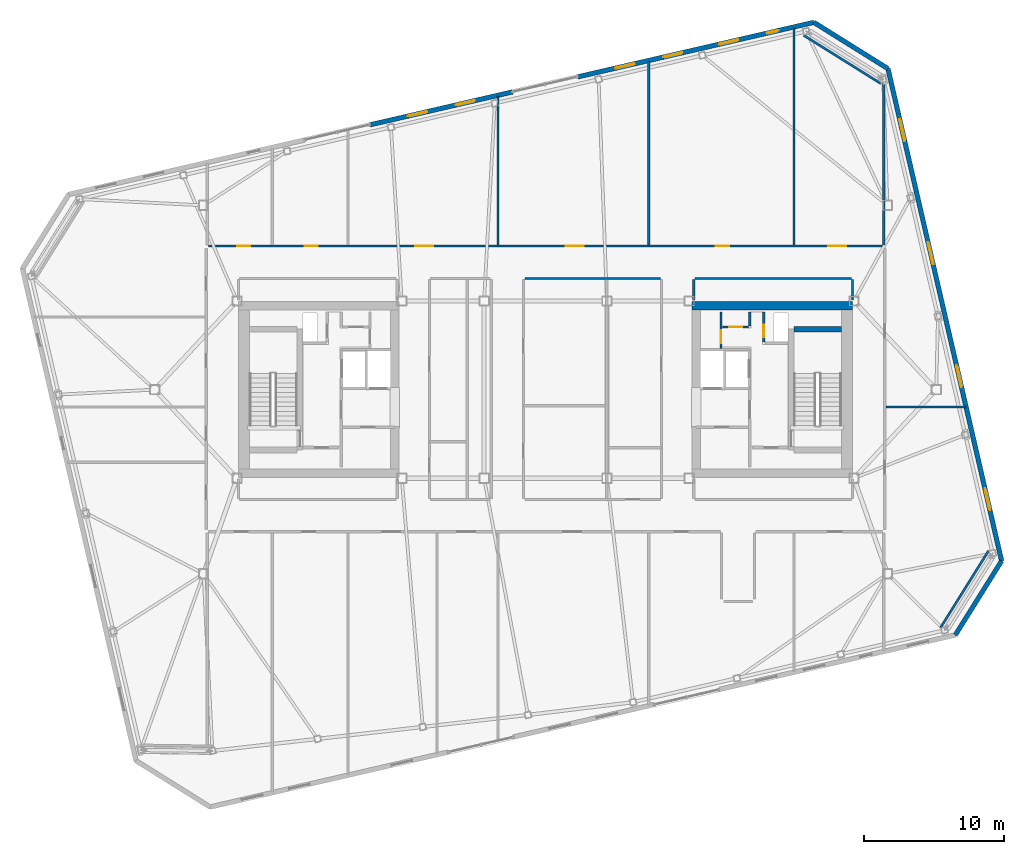
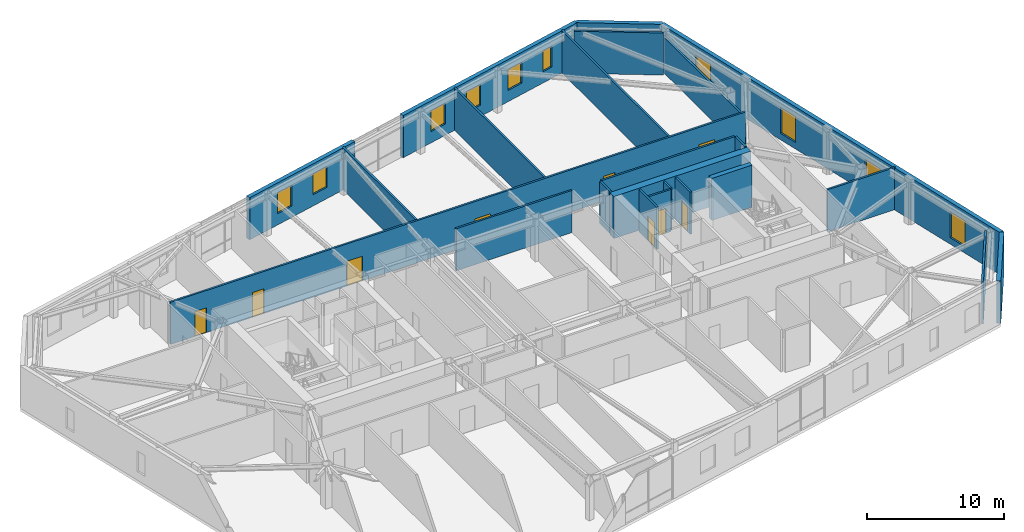
# One storey, part 19 of 23: 23 walls, 10 windows, 9 doors, 19 openings.
"""IFC4 building model written with IfcOpenShell, lengths in metres."""

from ifc_helpers import new_model, si_unit, direction, frame, frame_2d, origin, place, context, subcontext, project, spatial, rectangle, extrude, material, layer, layer_set, type_object, element, fill, save


model = new_model("IFC4")

# Units and contexts
model_context = context("Model", 3, precision=1e-05, world=origin(), true_north=direction((0.0, 1.0)))
body_context = subcontext(model_context, "Body", "Model", "MODEL_VIEW")
ifc_project = project(units=[si_unit("LENGTHUNIT", "METRE"), si_unit("AREAUNIT", "SQUARE_METRE"), si_unit("VOLUMEUNIT", "CUBIC_METRE"), si_unit("PLANEANGLEUNIT", "RADIAN"), si_unit("MASSUNIT", "GRAM", prefix="KILO")], contexts=[model_context])

# Site, building, storey
site_placement = place(None, origin())
site = spatial("IfcSite", under=ifc_project, at=site_placement, CompositionType="ELEMENT")
building_placement = place(site_placement, origin())
building = spatial("IfcBuilding", under=site, at=building_placement, Name="Tavrogorsk Clinical Tower", CompositionType="ELEMENT")
storey_placement = place(building_placement, frame((0.0, 0.0, 297.0)))
storey = spatial("IfcBuildingStorey", under=building, at=storey_placement, Name="L69", CompositionType="ELEMENT", Elevation=297.0)

# Wall, opening, door
ifc_material_1 = material(Name="Lightweight concrete blockwork B15", Category="masonry")
ifc_layer_1 = layer(ifc_material_1, 0.159912109375)
ifc_layer_set_1 = layer_set([ifc_layer_1], Name="Lightweight concrete blockwork B15")
wall_type_1 = type_object("IfcWallType", Name="PartitionWall_160", PredefinedType="PARTITIONING", material=ifc_layer_set_1)
wall_1_placement = place(storey_placement, frame((12.580078125, 2.9599609375, 0.0), z_axis=(0.0, 0.0, 1.0), x_axis=(0.0, 1.0, 0.0)))
wall_1 = element("IfcWall", 1, at=wall_1_placement, inside=storey, type_object=wall_type_1, Name="L69 Core East Linen Closet Wall", PredefinedType="PARTITIONING", context=body_context, shape_type="SweptSolid", body=[
    extrude(rectangle(XDim=2.60009765625, YDim=0.159912109375, at=frame_2d((1.300048828125, 0.0))), origin(), (0.0, 0.0, 1.0), 3.739990234375),
])
opening_1_placement = place(wall_1_placement, frame((0.35009765625, 0.0, 0.0)))
opening_1 = element("IfcOpeningElement", 2, at=opening_1_placement, cuts=wall_1, Name="Opening ID-02", PredefinedType="OPENING", context=body_context, shape_type="SweptSolid", body=[
    extrude(rectangle(XDim=0.949951171875, YDim=2.199951171875, at=frame_2d((0.47509765625, 1.10009765625))), frame((0.0, 0.08984375, 0.0), z_axis=(0.0, -1.0, 0.0), x_axis=(1.0, 0.0, 0.0)), (0.0, 0.0, 1.0), 0.179931640625),
])
ifc_material_2 = material(Name="Laminated timber leaf on aluminium frame", Category="wood")
door_type_1 = type_object("IfcDoorType", Name="InteriorDoor_ID02_950", OperationType="NOTDEFINED", PredefinedType="DOOR", material=ifc_material_2)
door_1_placement = place(opening_1_placement, origin())
door_1 = element("IfcDoor", 3, at=door_1_placement, inside=storey, type_object=door_type_1, Name="L69 Core East Linen Closet Door", OperationType="SINGLE_SWING_RIGHT", OverallHeight=2.199951171875, OverallWidth=0.949951171875, PredefinedType="DOOR", context=body_context, shape_type="SweptSolid", body=[
    extrude(rectangle(XDim=0.949951171875, YDim=2.199951171875, at=frame_2d((0.47509765625, 1.10009765625))), frame((0.0, 0.02490234375, 0.0), z_axis=(0.0, -1.0, 0.0), x_axis=(1.0, 0.0, 0.0)), (0.0, 0.0, 1.0), 0.050048828125),
])
fill(opening_1, door_1)

wall_2_placement = place(storey_placement, frame((12.6650390625, 4.47998046875, 0.0), z_axis=(0.0, 0.0, 1.0), x_axis=(1.0, 0.0, 0.0)))
wall_2 = element("IfcWall", 4, at=wall_2_placement, inside=storey, type_object=wall_type_1, Name="L69 Core East Housekeeping South Wall", PredefinedType="PARTITIONING", context=body_context, shape_type="SweptSolid", body=[
    extrude(rectangle(XDim=1.889892578125, YDim=0.159912109375, at=frame_2d((0.94482421875, 0.0))), origin(), (0.0, 0.0, 1.0), 3.739990234375),
])
opening_2_placement = place(wall_2_placement, frame((0.5, 0.0, 0.0)))
opening_2 = element("IfcOpeningElement", 5, at=opening_2_placement, cuts=wall_2, Name="Opening ID-02", PredefinedType="OPENING", context=body_context, shape_type="SweptSolid", body=[
    extrude(rectangle(XDim=0.949951171875, YDim=2.199951171875, at=frame_2d((0.47509765625, 1.10009765625))), frame((0.0, 0.08984375, 0.0), z_axis=(0.0, -1.0, 0.0), x_axis=(1.0, 0.0, 0.0)), (0.0, 0.0, 1.0), 0.179931640625),
])
door_2_placement = place(opening_2_placement, origin())
door_2 = element("IfcDoor", 6, at=door_2_placement, inside=storey, type_object=door_type_1, Name="L69 Core East Housekeeping Closet Door", OperationType="SINGLE_SWING_LEFT", OverallHeight=2.199951171875, OverallWidth=0.949951171875, PredefinedType="DOOR", context=body_context, shape_type="SweptSolid", body=[
    extrude(rectangle(XDim=0.949951171875, YDim=2.199951171875, at=frame_2d((0.47509765625, 1.10009765625))), frame((0.0, 0.02490234375, 0.0), z_axis=(0.0, -1.0, 0.0), x_axis=(1.0, 0.0, 0.0)), (0.0, 0.0, 1.0), 0.050048828125),
])
fill(opening_2, door_2)

# Walls
wall_3_placement = place(storey_placement, frame((14.639892578125, 4.56494140625, 0.0), z_axis=(0.0, 0.0, 1.0), x_axis=(0.0, 1.0, 0.0)))
element("IfcWall", 7, at=wall_3_placement, inside=storey, type_object=wall_type_1, Name="L69 Core East Housekeeping East Wall", PredefinedType="PARTITIONING", context=body_context, shape_type="SweptSolid", body=[
    extrude(rectangle(XDim=0.9951171875, YDim=0.159912109375, at=frame_2d((0.49755859375, 0.0))), origin(), (0.0, 0.0, 1.0), 3.739990234375),
])
for number, where, z_axis, x_axis, name in (
    (8, (28.30029296875, -17.064697265625, 0.0), (0.0, 0.0, 1.0), (0.529914601736, 0.848051009591, 0.0), "L69 Corner Exoskeleton Brace Furring Wall 1"),
    (9, (24.018310546875, 21.9306640625, 0.0), (0.0, 0.0, 1.0), (-0.848051009591, 0.529914601736, 0.0), "L69 Corner Exoskeleton Brace Furring Wall 2"),
):
    element("IfcWall", number, at=place(storey_placement, frame(where, z_axis=z_axis, x_axis=x_axis)), inside=storey, type_object=wall_type_1, Name=name, PredefinedType="PARTITIONING", context=body_context, shape_type="SweptSolid", body=[
        extrude(rectangle(XDim=6.50537109375, YDim=0.159912109375, at=frame_2d((3.252685546875, 0.0))), origin(), (0.0, 0.0, 1.0), 3.739990234375),
    ])

# Wall, openings, doors
wall_4_placement = place(storey_placement, frame((-24.14501953125, 10.280029296875, 0.0), z_axis=(0.0, 0.0, 1.0), x_axis=(1.0, 0.0, 0.0)))
wall_4 = element("IfcWall", 10, at=wall_4_placement, inside=storey, type_object=wall_type_1, Name="L69 Corridor Partition 02", PredefinedType="PARTITIONING", context=body_context, shape_type="SweptSolid", body=[
    extrude(rectangle(XDim=48.2900390625, YDim=0.159912109375, at=frame_2d((24.14501953125, 0.0))), origin(), (0.0, 0.0, 1.0), 3.739990234375),
])
opening_3_placement = place(wall_4_placement, frame((2.044189453125, 0.0, 0.0)))
opening_3 = element("IfcOpeningElement", 11, at=opening_3_placement, cuts=wall_4, Name="Opening ID-02", PredefinedType="OPENING", context=body_context, shape_type="SweptSolid", body=[
    extrude(rectangle(XDim=0.949951171875, YDim=2.199951171875, at=frame_2d((0.47509765625, 1.10009765625))), frame((0.0, 0.08984375, 0.0), z_axis=(0.0, -1.0, 0.0), x_axis=(1.0, 0.0, 0.0)), (0.0, 0.0, 1.0), 0.179931640625),
])
opening_4_placement = place(wall_4_placement, frame((6.885009765625, 0.0, 0.0)))
opening_4 = element("IfcOpeningElement", 12, at=opening_4_placement, cuts=wall_4, Name="Opening ID-02", PredefinedType="OPENING", context=body_context, shape_type="SweptSolid", body=[
    extrude(rectangle(XDim=0.949951171875, YDim=2.199951171875, at=frame_2d((0.47509765625, 1.10009765625))), frame((0.0, 0.08984375, 0.0), z_axis=(0.0, -1.0, 0.0), x_axis=(1.0, 0.0, 0.0)), (0.0, 0.0, 1.0), 0.179931640625),
])
opening_5_placement = place(wall_4_placement, frame((14.800048828125, 0.0, 0.0)))
opening_5 = element("IfcOpeningElement", 13, at=opening_5_placement, cuts=wall_4, Name="Opening ID-01", PredefinedType="OPENING", context=body_context, shape_type="SweptSolid", body=[
    extrude(rectangle(XDim=1.300048828125, YDim=2.199951171875, at=frame_2d((0.64990234375, 1.10009765625))), frame((0.0, 0.08984375, 0.0), z_axis=(0.0, -1.0, 0.0), x_axis=(1.0, 0.0, 0.0)), (0.0, 0.0, 1.0), 0.179931640625),
])
opening_6_placement = place(wall_4_placement, frame((25.580078125, 0.0, 0.0)))
opening_6 = element("IfcOpeningElement", 14, at=opening_6_placement, cuts=wall_4, Name="Opening ID-01", PredefinedType="OPENING", context=body_context, shape_type="SweptSolid", body=[
    extrude(rectangle(XDim=1.300048828125, YDim=2.199951171875, at=frame_2d((0.64990234375, 1.10009765625))), frame((0.0, 0.08984375, 0.0), z_axis=(0.0, -1.0, 0.0), x_axis=(1.0, 0.0, 0.0)), (0.0, 0.0, 1.0), 0.179931640625),
])
opening_7_placement = place(wall_4_placement, frame((36.35498046875, 0.0, 0.0)))
opening_7 = element("IfcOpeningElement", 15, at=opening_7_placement, cuts=wall_4, Name="Opening ID-02", PredefinedType="OPENING", context=body_context, shape_type="SweptSolid", body=[
    extrude(rectangle(XDim=0.949951171875, YDim=2.199951171875, at=frame_2d((0.47509765625, 1.10009765625))), frame((0.0, 0.08984375, 0.0), z_axis=(0.0, -1.0, 0.0), x_axis=(1.0, 0.0, 0.0)), (0.0, 0.0, 1.0), 0.179931640625),
])
opening_8_placement = place(wall_4_placement, frame((44.40087890625, 0.0, 0.0)))
opening_8 = element("IfcOpeningElement", 16, at=opening_8_placement, cuts=wall_4, Name="Opening ID-01", PredefinedType="OPENING", context=body_context, shape_type="SweptSolid", body=[
    extrude(rectangle(XDim=1.300048828125, YDim=2.199951171875, at=frame_2d((0.64990234375, 1.10009765625))), frame((0.0, 0.08984375, 0.0), z_axis=(0.0, -1.0, 0.0), x_axis=(1.0, 0.0, 0.0)), (0.0, 0.0, 1.0), 0.179931640625),
])
door_3_placement = place(opening_3_placement, origin())
door_3 = element("IfcDoor", 17, at=door_3_placement, inside=storey, type_object=door_type_1, Name="L69 North Physician Consultation Office 01 Door", OperationType="SINGLE_SWING_LEFT", OverallHeight=2.199951171875, OverallWidth=0.949951171875, PredefinedType="DOOR", context=body_context, shape_type="SweptSolid", body=[
    extrude(rectangle(XDim=0.949951171875, YDim=2.199951171875, at=frame_2d((0.47509765625, 1.10009765625))), frame((0.0, 0.02490234375, 0.0), z_axis=(0.0, -1.0, 0.0), x_axis=(1.0, 0.0, 0.0)), (0.0, 0.0, 1.0), 0.050048828125),
])
fill(opening_3, door_3)
door_4_placement = place(opening_4_placement, origin())
door_4 = element("IfcDoor", 18, at=door_4_placement, inside=storey, type_object=door_type_1, Name="L69 North Patient & Family Quiet Lounge 02 Door", OperationType="SINGLE_SWING_RIGHT", OverallHeight=2.199951171875, OverallWidth=0.949951171875, PredefinedType="DOOR", context=body_context, shape_type="SweptSolid", body=[
    extrude(rectangle(XDim=0.949951171875, YDim=2.199951171875, at=frame_2d((0.47509765625, 1.10009765625))), frame((0.0, 0.02490234375, 0.0), z_axis=(0.0, -1.0, 0.0), x_axis=(1.0, 0.0, 0.0)), (0.0, 0.0, 1.0), 0.050048828125),
])
fill(opening_4, door_4)
door_5_placement = place(opening_7_placement, origin())
door_5 = element("IfcDoor", 19, at=door_5_placement, inside=storey, type_object=door_type_1, Name="L69 North Multidisciplinary Case Room 05 Door", OperationType="SINGLE_SWING_LEFT", OverallHeight=2.199951171875, OverallWidth=0.949951171875, PredefinedType="DOOR", context=body_context, shape_type="SweptSolid", body=[
    extrude(rectangle(XDim=0.949951171875, YDim=2.199951171875, at=frame_2d((0.47509765625, 1.10009765625))), frame((0.0, 0.02490234375, 0.0), z_axis=(0.0, -1.0, 0.0), x_axis=(1.0, 0.0, 0.0)), (0.0, 0.0, 1.0), 0.050048828125),
])
fill(opening_7, door_5)
ifc_material_3 = material(Name="Antibacterial HPL medical leaf on aluminium frame", Category="aluminium")
door_type_2 = type_object("IfcDoorType", Name="WardBedDoor_ID01_1300", OperationType="NOTDEFINED", PredefinedType="DOOR", material=ifc_material_3)
door_6_placement = place(opening_5_placement, origin())
door_6 = element("IfcDoor", 20, at=door_6_placement, inside=storey, type_object=door_type_2, Name="L69 North Acute Isolation Suite 03 Door", OperationType="SINGLE_SWING_LEFT", OverallHeight=2.199951171875, OverallWidth=1.300048828125, PredefinedType="DOOR", context=body_context, shape_type="SweptSolid", body=[
    extrude(rectangle(XDim=1.300048828125, YDim=2.199951171875, at=frame_2d((0.64990234375, 1.10009765625))), frame((0.0, 0.02490234375, 0.0), z_axis=(0.0, -1.0, 0.0), x_axis=(1.0, 0.0, 0.0)), (0.0, 0.0, 1.0), 0.050048828125),
])
fill(opening_5, door_6)
door_7_placement = place(opening_6_placement, origin())
door_7 = element("IfcDoor", 21, at=door_7_placement, inside=storey, type_object=door_type_2, Name="L69 North Sub-Acute Recovery Ward 04 Door", OperationType="SINGLE_SWING_RIGHT", OverallHeight=2.199951171875, OverallWidth=1.300048828125, PredefinedType="DOOR", context=body_context, shape_type="SweptSolid", body=[
    extrude(rectangle(XDim=1.300048828125, YDim=2.199951171875, at=frame_2d((0.64990234375, 1.10009765625))), frame((0.0, 0.02490234375, 0.0), z_axis=(0.0, -1.0, 0.0), x_axis=(1.0, 0.0, 0.0)), (0.0, 0.0, 1.0), 0.050048828125),
])
fill(opening_6, door_7)
door_8_placement = place(opening_8_placement, origin())
door_8 = element("IfcDoor", 22, at=door_8_placement, inside=storey, type_object=door_type_2, Name="L69 North Inpatient Clinical Ward 06 Door", OperationType="SINGLE_SWING_RIGHT", OverallHeight=2.199951171875, OverallWidth=1.300048828125, PredefinedType="DOOR", context=body_context, shape_type="SweptSolid", body=[
    extrude(rectangle(XDim=1.300048828125, YDim=2.199951171875, at=frame_2d((0.64990234375, 1.10009765625))), frame((0.0, 0.02490234375, 0.0), z_axis=(0.0, -1.0, 0.0), x_axis=(1.0, 0.0, 0.0)), (0.0, 0.0, 1.0), 0.050048828125),
])
fill(opening_8, door_8)

# Walls
wall_5_placement = place(storey_placement, frame((21.9150390625, 7.969970703125, 0.0), z_axis=(0.0, 0.0, 1.0), x_axis=(-1.0, 0.0, 0.0)))
element("IfcWall", 23, at=wall_5_placement, inside=storey, type_object=wall_type_1, Name="L69 Corridor Partition 09", PredefinedType="PARTITIONING", context=body_context, shape_type="SweptSolid", body=[
    extrude(rectangle(XDim=11.199951171875, YDim=0.159912109375, at=frame_2d((5.60009765625, 0.0))), origin(), (0.0, 0.0, 1.0), 3.739990234375),
])
for number, where, z_axis, x_axis, name in (
    (24, (10.6298828125, 7.885009765625, 0.0), (0.0, 0.0, 1.0), (0.0, -1.0, 0.0), "L69 Corridor Partition 10"),
    (25, (22.0, 6.419921875, 0.0), (0.0, 0.0, 1.0), (0.0, 1.0, 0.0), "L69 Corridor Partition 14"),
):
    element("IfcWall", number, at=place(storey_placement, frame(where, z_axis=z_axis, x_axis=x_axis)), inside=storey, type_object=wall_type_1, Name=name, PredefinedType="PARTITIONING", context=body_context, shape_type="SweptSolid", body=[
        extrude(rectangle(XDim=1.465087890625, YDim=0.159912109375, at=frame_2d((0.732421875, 0.0))), origin(), (0.0, 0.0, 1.0), 3.739990234375),
    ])
wall_6_placement = place(storey_placement, frame((8.235107421875, 7.969970703125, 0.0), z_axis=(0.0, 0.0, 1.0), x_axis=(-1.0, 0.0, 0.0)))
element("IfcWall", 26, at=wall_6_placement, inside=storey, type_object=wall_type_1, Name="L69 Corridor Partition 15", PredefinedType="PARTITIONING", context=body_context, shape_type="SweptSolid", body=[
    extrude(rectangle(XDim=9.72021484375, YDim=0.159912109375, at=frame_2d((4.860107421875, 0.0))), origin(), (0.0, 0.0, 1.0), 3.739990234375),
])
wall_7_placement = place(storey_placement, frame((24.22998046875, 10.364990234375, 0.0), z_axis=(0.0, 0.0, 1.0), x_axis=(0.0, 1.0, 0.0)))
element("IfcWall", 27, at=wall_7_placement, inside=storey, type_object=wall_type_1, Name="L69 NE Wing Closure Partition", PredefinedType="PARTITIONING", context=body_context, shape_type="SweptSolid", body=[
    extrude(rectangle(XDim=12.206298828125, YDim=0.159912109375, at=frame_2d((6.10302734375, 0.0))), origin(), (0.0, 0.0, 1.0), 3.18505859375),
])
wall_8_placement = place(storey_placement, frame((-3.39990234375, 10.364990234375, 0.0), z_axis=(0.0, 0.0, 1.0), x_axis=(0.0, 1.0, 0.0)))
element("IfcWall", 28, at=wall_8_placement, inside=storey, type_object=wall_type_1, Name="L69 North Room Partition 3", PredefinedType="PARTITIONING", context=body_context, shape_type="SweptSolid", body=[
    extrude(rectangle(XDim=10.655029296875, YDim=0.159912109375, at=frame_2d((5.32763671875, 0.0))), origin(), (0.0, 0.0, 1.0), 3.739990234375),
])
wall_9_placement = place(storey_placement, frame((7.39990234375, 10.364990234375, 0.0), z_axis=(0.0, 0.0, 1.0), x_axis=(0.0, 1.0, 0.0)))
element("IfcWall", 29, at=wall_9_placement, inside=storey, type_object=wall_type_1, Name="L69 North Room Partition 4", PredefinedType="PARTITIONING", context=body_context, shape_type="SweptSolid", body=[
    extrude(rectangle(XDim=13.148193359375, YDim=0.159912109375, at=frame_2d((6.57421875, 0.0))), origin(), (0.0, 0.0, 1.0), 3.739990234375),
])
wall_10_placement = place(storey_placement, frame((17.800048828125, 10.364990234375, 0.0), z_axis=(0.0, 0.0, 1.0), x_axis=(0.0, 1.0, 0.0)))
element("IfcWall", 30, at=wall_10_placement, inside=storey, type_object=wall_type_1, Name="L69 North Room Partition 5", PredefinedType="PARTITIONING", context=body_context, shape_type="SweptSolid", body=[
    extrude(rectangle(XDim=15.54931640625, YDim=0.159912109375, at=frame_2d((7.774658203125, 0.0))), origin(), (0.0, 0.0, 1.0), 3.739990234375),
])
wall_11_placement = place(storey_placement, frame((24.39501953125, -1.25, 0.0), z_axis=(0.0, 0.0, 1.0), x_axis=(1.0, 0.0, 0.0)))
element("IfcWall", 31, at=wall_11_placement, inside=storey, type_object=wall_type_1, Name="L69 E Wing Divider 1", PredefinedType="PARTITIONING", context=body_context, shape_type="SweptSolid", body=[
    extrude(rectangle(XDim=5.724853515625, YDim=0.159912109375, at=frame_2d((2.8623046875, 0.0))), origin(), (0.0, 0.0, 1.0), 3.739990234375),
])

# Wall, openings, windows
ifc_material_4 = material(Name="Precast concrete B45 with limestone cladding", Category="masonry")
ifc_layer_2 = layer(ifc_material_4, 0.340087890625)
ifc_layer_set_2 = layer_set([ifc_layer_2], Name="Precast concrete B45 with limestone cladding")
wall_type_2 = type_object("IfcWallType", Name="PrecastLimestoneWall_340", PredefinedType="STANDARD", material=ifc_layer_set_2)
wall_12_placement = place(storey_placement, frame((19.2294921875, 26.316162109375, 0.0), z_axis=(0.0, 0.0, 1.0), x_axis=(-0.974372473594, -0.224940620392, 0.0)))
wall_12 = element("IfcWall", 32, at=wall_12_placement, inside=storey, type_object=wall_type_2, Name="L69 N Limestone Facade Wall 1", PredefinedType="STANDARD", context=body_context, shape_type="SweptSolid", body=[
    extrude(rectangle(XDim=17.36572265625, YDim=0.340087890625, at=frame_2d((8.682861328125, 0.0))), origin(), (0.0, 0.0, 1.0), 3.739990234375),
])
opening_9_placement = place(wall_12_placement, frame((13.187255859375, 0.0, 1.0)))
opening_9 = element("IfcOpeningElement", 33, at=opening_9_placement, cuts=wall_12, Name="Opening WN-17", PredefinedType="OPENING", context=body_context, shape_type="SweptSolid", body=[
    extrude(rectangle(XDim=1.39990234375, YDim=1.85009765625, at=frame_2d((0.699951171875, 0.925048828125))), frame((0.0, 0.179931640625, 0.0), z_axis=(0.0, -1.0, 0.0), x_axis=(1.0, 0.0, 0.0)), (0.0, 0.0, 1.0), 0.360107421875),
])
opening_10_placement = place(wall_12_placement, frame((9.675537109375, 0.0, 1.0)))
opening_10 = element("IfcOpeningElement", 34, at=opening_10_placement, cuts=wall_12, Name="Opening WN-17", PredefinedType="OPENING", context=body_context, shape_type="SweptSolid", body=[
    extrude(rectangle(XDim=1.39990234375, YDim=1.85009765625, at=frame_2d((0.699951171875, 0.925048828125))), frame((0.0, 0.179931640625, 0.0), z_axis=(0.0, -1.0, 0.0), x_axis=(1.0, 0.0, 0.0)), (0.0, 0.0, 1.0), 0.360107421875),
])
opening_11_placement = place(wall_12_placement, frame((5.552978515625, 0.0, 1.0)))
opening_11 = element("IfcOpeningElement", 35, at=opening_11_placement, cuts=wall_12, Name="Opening WN-17", PredefinedType="OPENING", context=body_context, shape_type="SweptSolid", body=[
    extrude(rectangle(XDim=1.39990234375, YDim=1.85009765625, at=frame_2d((0.699951171875, 0.925048828125))), frame((0.0, 0.179931640625, 0.0), z_axis=(0.0, -1.0, 0.0), x_axis=(1.0, 0.0, 0.0)), (0.0, 0.0, 1.0), 0.360107421875),
])
opening_12_placement = place(wall_12_placement, frame((2.59130859375, 0.0, 1.0)))
opening_12 = element("IfcOpeningElement", 36, at=opening_12_placement, cuts=wall_12, Name="Opening WN-06", PredefinedType="OPENING", context=body_context, shape_type="SweptSolid", body=[
    extrude(rectangle(XDim=0.85009765625, YDim=1.85009765625, at=frame_2d((0.425048828125, 0.925048828125))), frame((0.0, 0.179931640625, 0.0), z_axis=(0.0, -1.0, 0.0), x_axis=(1.0, 0.0, 0.0)), (0.0, 0.0, 1.0), 0.360107421875),
])
ifc_material_5 = material(Name="Thermally broken aluminium frame and triple IGU", Category="aluminium")
window_type_1 = type_object("IfcWindowType", Name="MullionSubWin_850x1850", PartitioningType="SINGLE_PANEL", PredefinedType="WINDOW", material=ifc_material_5)
window_1_placement = place(opening_12_placement, origin())
window_1 = element("IfcWindow", 37, at=window_1_placement, inside=storey, type_object=window_type_1, Name="L69 N Mullion Split Window 10B", OverallHeight=1.85009765625, OverallWidth=0.85009765625, PartitioningType="SINGLE_PANEL", PredefinedType="WINDOW", context=body_context, shape_type="SweptSolid", body=[
    extrude(rectangle(XDim=0.85009765625, YDim=1.85009765625, at=frame_2d((0.425048828125, 0.925048828125))), frame((0.0, 0.030029296875, 0.0), z_axis=(0.0, -1.0, 0.0), x_axis=(1.0, 0.0, 0.0)), (0.0, 0.0, 1.0), 0.06005859375),
])
fill(opening_12, window_1)
ifc_material_6 = material(Name="Thermally broken aluminium frame and triple IGU", Category="aluminium")
window_type_2 = type_object("IfcWindowType", Name="TelemetryWin_1400x1850", PartitioningType="SINGLE_PANEL", PredefinedType="WINDOW", material=ifc_material_6)
window_2_placement = place(opening_9_placement, origin())
window_2 = element("IfcWindow", 38, at=window_2_placement, inside=storey, type_object=window_type_2, Name="L69 N Chicago Window 07", OverallHeight=1.85009765625, OverallWidth=1.39990234375, PartitioningType="SINGLE_PANEL", PredefinedType="WINDOW", context=body_context, shape_type="SweptSolid", body=[
    extrude(rectangle(XDim=1.39990234375, YDim=1.85009765625, at=frame_2d((0.699951171875, 0.925048828125))), frame((0.0, 0.030029296875, 0.0), z_axis=(0.0, -1.0, 0.0), x_axis=(1.0, 0.0, 0.0)), (0.0, 0.0, 1.0), 0.06005859375),
])
fill(opening_9, window_2)
window_3_placement = place(opening_10_placement, origin())
window_3 = element("IfcWindow", 39, at=window_3_placement, inside=storey, type_object=window_type_2, Name="L69 N Chicago Window 08", OverallHeight=1.85009765625, OverallWidth=1.39990234375, PartitioningType="SINGLE_PANEL", PredefinedType="WINDOW", context=body_context, shape_type="SweptSolid", body=[
    extrude(rectangle(XDim=1.39990234375, YDim=1.85009765625, at=frame_2d((0.699951171875, 0.925048828125))), frame((0.0, 0.030029296875, 0.0), z_axis=(0.0, -1.0, 0.0), x_axis=(1.0, 0.0, 0.0)), (0.0, 0.0, 1.0), 0.06005859375),
])
fill(opening_10, window_3)
window_4_placement = place(opening_11_placement, origin())
window_4 = element("IfcWindow", 40, at=window_4_placement, inside=storey, type_object=window_type_2, Name="L69 N Chicago Window 09", OverallHeight=1.85009765625, OverallWidth=1.39990234375, PartitioningType="SINGLE_PANEL", PredefinedType="WINDOW", context=body_context, shape_type="SweptSolid", body=[
    extrude(rectangle(XDim=1.39990234375, YDim=1.85009765625, at=frame_2d((0.699951171875, 0.925048828125))), frame((0.0, 0.030029296875, 0.0), z_axis=(0.0, -1.0, 0.0), x_axis=(1.0, 0.0, 0.0)), (0.0, 0.0, 1.0), 0.06005859375),
])
fill(opening_11, window_4)

wall_13_placement = place(storey_placement, frame((-2.3681640625, 21.330078125, 0.0), z_axis=(0.0, 0.0, 1.0), x_axis=(-0.974367213107, -0.224963405961, 0.0)))
wall_13 = element("IfcWall", 41, at=wall_13_placement, inside=storey, type_object=wall_type_2, Name="L69 N Limestone Facade Wall 2", PredefinedType="STANDARD", context=body_context, shape_type="SweptSolid", body=[
    extrude(rectangle(XDim=10.46826171875, YDim=0.340087890625, at=frame_2d((5.234130859375, 0.0))), origin(), (0.0, 0.0, 1.0), 3.739990234375),
])
opening_13_placement = place(wall_13_placement, frame((6.2900390625, 0.0, 1.0)))
opening_13 = element("IfcOpeningElement", 42, at=opening_13_placement, cuts=wall_13, Name="Opening WN-17", PredefinedType="OPENING", context=body_context, shape_type="SweptSolid", body=[
    extrude(rectangle(XDim=1.39990234375, YDim=1.85009765625, at=frame_2d((0.699951171875, 0.925048828125))), frame((0.0, 0.179931640625, 0.0), z_axis=(0.0, -1.0, 0.0), x_axis=(1.0, 0.0, 0.0)), (0.0, 0.0, 1.0), 0.360107421875),
])
opening_14_placement = place(wall_13_placement, frame((2.7783203125, 0.0, 1.0)))
opening_14 = element("IfcOpeningElement", 43, at=opening_14_placement, cuts=wall_13, Name="Opening WN-17", PredefinedType="OPENING", context=body_context, shape_type="SweptSolid", body=[
    extrude(rectangle(XDim=1.39990234375, YDim=1.85009765625, at=frame_2d((0.699951171875, 0.925048828125))), frame((0.0, 0.179931640625, 0.0), z_axis=(0.0, -1.0, 0.0), x_axis=(1.0, 0.0, 0.0)), (0.0, 0.0, 1.0), 0.360107421875),
])
window_5_placement = place(opening_13_placement, origin())
window_5 = element("IfcWindow", 44, at=window_5_placement, inside=storey, type_object=window_type_2, Name="L69 N Chicago Window 05", OverallHeight=1.85009765625, OverallWidth=1.39990234375, PartitioningType="SINGLE_PANEL", PredefinedType="WINDOW", context=body_context, shape_type="SweptSolid", body=[
    extrude(rectangle(XDim=1.39990234375, YDim=1.85009765625, at=frame_2d((0.699951171875, 0.925048828125))), frame((0.0, 0.030029296875, 0.0), z_axis=(0.0, -1.0, 0.0), x_axis=(1.0, 0.0, 0.0)), (0.0, 0.0, 1.0), 0.06005859375),
])
fill(opening_13, window_5)
window_6_placement = place(opening_14_placement, origin())
window_6 = element("IfcWindow", 45, at=window_6_placement, inside=storey, type_object=window_type_2, Name="L69 N Chicago Window 06", OverallHeight=1.85009765625, OverallWidth=1.39990234375, PartitioningType="SINGLE_PANEL", PredefinedType="WINDOW", context=body_context, shape_type="SweptSolid", body=[
    extrude(rectangle(XDim=1.39990234375, YDim=1.85009765625, at=frame_2d((0.699951171875, 0.925048828125))), frame((0.0, 0.030029296875, 0.0), z_axis=(0.0, -1.0, 0.0), x_axis=(1.0, 0.0, 0.0)), (0.0, 0.0, 1.0), 0.06005859375),
])
fill(opening_14, window_6)

wall_14_placement = place(storey_placement, frame((32.685791015625, -12.27587890625, 0.0), z_axis=(0.0, 0.0, 1.0), x_axis=(-0.224953091034, 0.974369594576, 0.0)))
wall_14 = element("IfcWall", 46, at=wall_14_placement, inside=storey, type_object=wall_type_2, Name="L69 E Pleated Limestone Wing Wall", PredefinedType="STANDARD", context=body_context, shape_type="SweptSolid", body=[
    extrude(rectangle(XDim=36.199951171875, YDim=0.340087890625, at=frame_2d((18.10009765625, 0.0))), origin(), (0.0, 0.0, 1.0), 3.739990234375),
])
opening_15_placement = place(wall_14_placement, frame((3.72509765625, 0.0, 0.580078125)))
opening_15 = element("IfcOpeningElement", 47, at=opening_15_placement, cuts=wall_14, Name="Opening WN-07", PredefinedType="OPENING", context=body_context, shape_type="SweptSolid", body=[
    extrude(rectangle(XDim=1.60009765625, YDim=2.300048828125, at=frame_2d((0.800048828125, 1.14990234375))), frame((0.0, 0.179931640625, 0.0), z_axis=(0.0, -1.0, 0.0), x_axis=(1.0, 0.0, 0.0)), (0.0, 0.0, 1.0), 0.360107421875),
])
opening_16_placement = place(wall_14_placement, frame((12.77490234375, 0.0, 0.580078125)))
opening_16 = element("IfcOpeningElement", 48, at=opening_16_placement, cuts=wall_14, Name="Opening WN-07", PredefinedType="OPENING", context=body_context, shape_type="SweptSolid", body=[
    extrude(rectangle(XDim=1.60009765625, YDim=2.300048828125, at=frame_2d((0.800048828125, 1.14990234375))), frame((0.0, 0.179931640625, 0.0), z_axis=(0.0, -1.0, 0.0), x_axis=(1.0, 0.0, 0.0)), (0.0, 0.0, 1.0), 0.360107421875),
])
opening_17_placement = place(wall_14_placement, frame((21.824951171875, 0.0, 0.580078125)))
opening_17 = element("IfcOpeningElement", 49, at=opening_17_placement, cuts=wall_14, Name="Opening WN-07", PredefinedType="OPENING", context=body_context, shape_type="SweptSolid", body=[
    extrude(rectangle(XDim=1.60009765625, YDim=2.300048828125, at=frame_2d((0.800048828125, 1.14990234375))), frame((0.0, 0.179931640625, 0.0), z_axis=(0.0, -1.0, 0.0), x_axis=(1.0, 0.0, 0.0)), (0.0, 0.0, 1.0), 0.360107421875),
])
opening_18_placement = place(wall_14_placement, frame((30.875, 0.0, 0.580078125)))
opening_18 = element("IfcOpeningElement", 50, at=opening_18_placement, cuts=wall_14, Name="Opening WN-07", PredefinedType="OPENING", context=body_context, shape_type="SweptSolid", body=[
    extrude(rectangle(XDim=1.60009765625, YDim=2.300048828125, at=frame_2d((0.800048828125, 1.14990234375))), frame((0.0, 0.179931640625, 0.0), z_axis=(0.0, -1.0, 0.0), x_axis=(1.0, 0.0, 0.0)), (0.0, 0.0, 1.0), 0.360107421875),
])
ifc_material_7 = material(Name="Thermally broken aluminium frame and triple IGU", Category="aluminium")
window_type_3 = type_object("IfcWindowType", Name="PleatSlotWin_1600x2300", PartitioningType="SINGLE_PANEL", PredefinedType="WINDOW", material=ifc_material_7)
window_7_placement = place(opening_15_placement, origin())
window_7 = element("IfcWindow", 51, at=window_7_placement, inside=storey, type_object=window_type_3, Name="L69 E Pleat Slot Window 1", OverallHeight=2.300048828125, OverallWidth=1.60009765625, PartitioningType="SINGLE_PANEL", PredefinedType="WINDOW", context=body_context, shape_type="SweptSolid", body=[
    extrude(rectangle(XDim=1.60009765625, YDim=2.300048828125, at=frame_2d((0.800048828125, 1.14990234375))), frame((0.0, 0.030029296875, 0.0), z_axis=(0.0, -1.0, 0.0), x_axis=(1.0, 0.0, 0.0)), (0.0, 0.0, 1.0), 0.06005859375),
])
fill(opening_15, window_7)
window_8_placement = place(opening_16_placement, origin())
window_8 = element("IfcWindow", 52, at=window_8_placement, inside=storey, type_object=window_type_3, Name="L69 E Pleat Slot Window 2", OverallHeight=2.300048828125, OverallWidth=1.60009765625, PartitioningType="SINGLE_PANEL", PredefinedType="WINDOW", context=body_context, shape_type="SweptSolid", body=[
    extrude(rectangle(XDim=1.60009765625, YDim=2.300048828125, at=frame_2d((0.800048828125, 1.14990234375))), frame((0.0, 0.030029296875, 0.0), z_axis=(0.0, -1.0, 0.0), x_axis=(1.0, 0.0, 0.0)), (0.0, 0.0, 1.0), 0.06005859375),
])
fill(opening_16, window_8)
window_9_placement = place(opening_17_placement, origin())
window_9 = element("IfcWindow", 53, at=window_9_placement, inside=storey, type_object=window_type_3, Name="L69 E Pleat Slot Window 3", OverallHeight=2.300048828125, OverallWidth=1.60009765625, PartitioningType="SINGLE_PANEL", PredefinedType="WINDOW", context=body_context, shape_type="SweptSolid", body=[
    extrude(rectangle(XDim=1.60009765625, YDim=2.300048828125, at=frame_2d((0.800048828125, 1.14990234375))), frame((0.0, 0.030029296875, 0.0), z_axis=(0.0, -1.0, 0.0), x_axis=(1.0, 0.0, 0.0)), (0.0, 0.0, 1.0), 0.06005859375),
])
fill(opening_17, window_9)
window_10_placement = place(opening_18_placement, origin())
window_10 = element("IfcWindow", 54, at=window_10_placement, inside=storey, type_object=window_type_3, Name="L69 E Pleat Slot Window 4", OverallHeight=2.300048828125, OverallWidth=1.60009765625, PartitioningType="SINGLE_PANEL", PredefinedType="WINDOW", context=body_context, shape_type="SweptSolid", body=[
    extrude(rectangle(XDim=1.60009765625, YDim=2.300048828125, at=frame_2d((0.800048828125, 1.14990234375))), frame((0.0, 0.030029296875, 0.0), z_axis=(0.0, -1.0, 0.0), x_axis=(1.0, 0.0, 0.0)), (0.0, 0.0, 1.0), 0.06005859375),
])
fill(opening_18, window_10)

# Walls
for number, where, z_axis, x_axis, name in (
    (55, (29.365966796875, -17.5888671875, 0.0), (0.0, 0.0, 1.0), (0.529907862057, 0.848055220921, 0.0), "L69 Chamfered Corner Wall 1"),
    (56, (24.54248046875, 22.996337890625, 0.0), (0.0, 0.0, 1.0), (-0.848055220921, 0.529907862057, 0.0), "L69 Chamfered Corner Wall 2"),
):
    element("IfcWall", number, at=place(storey_placement, frame(where, z_axis=z_axis, x_axis=x_axis)), inside=storey, type_object=wall_type_2, Name=name, PredefinedType="STANDARD", context=body_context, shape_type="SweptSolid", body=[
        extrude(rectangle(XDim=6.264892578125, YDim=0.340087890625, at=frame_2d((3.13232421875, 0.0))), origin(), (0.0, 0.0, 1.0), 3.739990234375),
    ])

# Wall, opening, door
ifc_material_8 = material(Name="Lightweight concrete blockwork B25", Category="masonry")
ifc_layer_3 = layer(ifc_material_8, 0.159912109375)
ifc_layer_set_3 = layer_set([ifc_layer_3], Name="Lightweight concrete blockwork B25")
wall_type_3 = type_object("IfcWallType", Name="ShaftWall_160", PredefinedType="PARTITIONING", material=ifc_layer_set_3)
wall_15_placement = place(storey_placement, frame((15.639892578125, 3.405029296875, 0.0), z_axis=(0.0, 0.0, 1.0), x_axis=(0.0, 1.0, 0.0)))
wall_15 = element("IfcWall", 57, at=wall_15_placement, inside=storey, type_object=wall_type_3, Name="L69 Core East Riser West Wall", PredefinedType="PARTITIONING", context=body_context, shape_type="SweptSolid", body=[
    extrude(rectangle(XDim=2.155029296875, YDim=0.159912109375, at=frame_2d((1.07763671875, 0.0))), origin(), (0.0, 0.0, 1.0), 3.739990234375),
])
opening_19_placement = place(wall_15_placement, frame((0.35009765625, 0.0, 0.0)))
opening_19 = element("IfcOpeningElement", 58, at=opening_19_placement, cuts=wall_15, Name="Opening FD-02", PredefinedType="OPENING", context=body_context, shape_type="SweptSolid", body=[
    extrude(rectangle(XDim=0.89990234375, YDim=2.199951171875, at=frame_2d((0.449951171875, 1.10009765625))), frame((0.0, 0.08984375, 0.0), z_axis=(0.0, -1.0, 0.0), x_axis=(1.0, 0.0, 0.0)), (0.0, 0.0, 1.0), 0.179931640625),
])
ifc_material_9 = material(Name="Galvanised steel fire-rated door assembly", Category="steel")
door_type_3 = type_object("IfcDoorType", Name="FireDoor_FD02_900", OperationType="NOTDEFINED", PredefinedType="DOOR", material=ifc_material_9)
door_9_placement = place(opening_19_placement, origin())
door_9 = element("IfcDoor", 59, at=door_9_placement, inside=storey, type_object=door_type_3, Name="L69 Core East Electrical Riser Access Door", OperationType="SINGLE_SWING_LEFT", OverallHeight=2.199951171875, OverallWidth=0.89990234375, PredefinedType="DOOR", context=body_context, shape_type="SweptSolid", body=[
    extrude(rectangle(XDim=0.89990234375, YDim=2.199951171875, at=frame_2d((0.449951171875, 1.10009765625))), frame((0.0, 0.02490234375, 0.0), z_axis=(0.0, -1.0, 0.0), x_axis=(1.0, 0.0, 0.0)), (0.0, 0.0, 1.0), 0.050048828125),
])
fill(opening_19, door_9)

# Walls
ifc_material_10 = material(Name="Concrete B80", Category="concrete")
ifc_layer_4 = layer(ifc_material_10, 0.39990234375)
ifc_layer_set_4 = layer_set([ifc_layer_4], Name="Concrete B80")
wall_type_4 = type_object("IfcWallType", Name="ShearWall_400", PredefinedType="SHEAR", material=ifc_layer_set_4)
wall_16_placement = place(storey_placement, frame((17.800048828125, 4.324951171875, 0.0), z_axis=(0.0, 0.0, 1.0), x_axis=(1.0, 0.0, 0.0)))
element("IfcWall", 60, at=wall_16_placement, inside=storey, type_object=wall_type_4, Name="L69 Core East Stair Shaft North Shear Wall", PredefinedType="SHEAR", context=body_context, shape_type="SweptSolid", body=[
    extrude(rectangle(XDim=3.39990234375, YDim=0.39990234375, at=frame_2d((1.699951171875, 0.0))), origin(), (0.0, 0.0, 1.0), 3.739990234375),
])
ifc_material_11 = material(Name="Concrete B80", Category="concrete")
ifc_layer_5 = layer(ifc_material_11, 0.60009765625)
ifc_layer_set_5 = layer_set([ifc_layer_5], Name="Concrete B80")
wall_type_5 = type_object("IfcWallType", Name="ShearWall_600", PredefinedType="SHEAR", material=ifc_layer_set_5)
wall_17_placement = place(storey_placement, frame((10.5, 6.0, 0.0), z_axis=(0.0, 0.0, 1.0), x_axis=(1.0, 0.0, 0.0)))
element("IfcWall", 61, at=wall_17_placement, inside=storey, type_object=wall_type_5, Name="L69 Core East North Shear Wall", PredefinedType="SHEAR", context=body_context, shape_type="SweptSolid", body=[
    extrude(rectangle(XDim=11.5, YDim=0.60009765625, at=frame_2d((5.75, 0.0))), origin(), (0.0, 0.0, 1.0), 3.739990234375),
])

save(model, "model.ifc")
